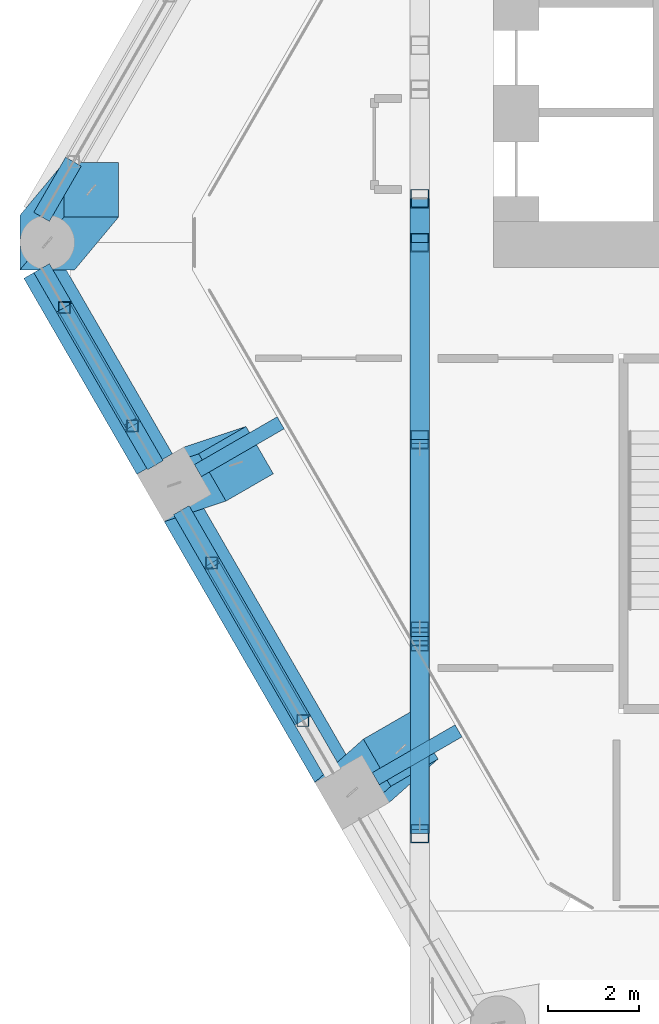
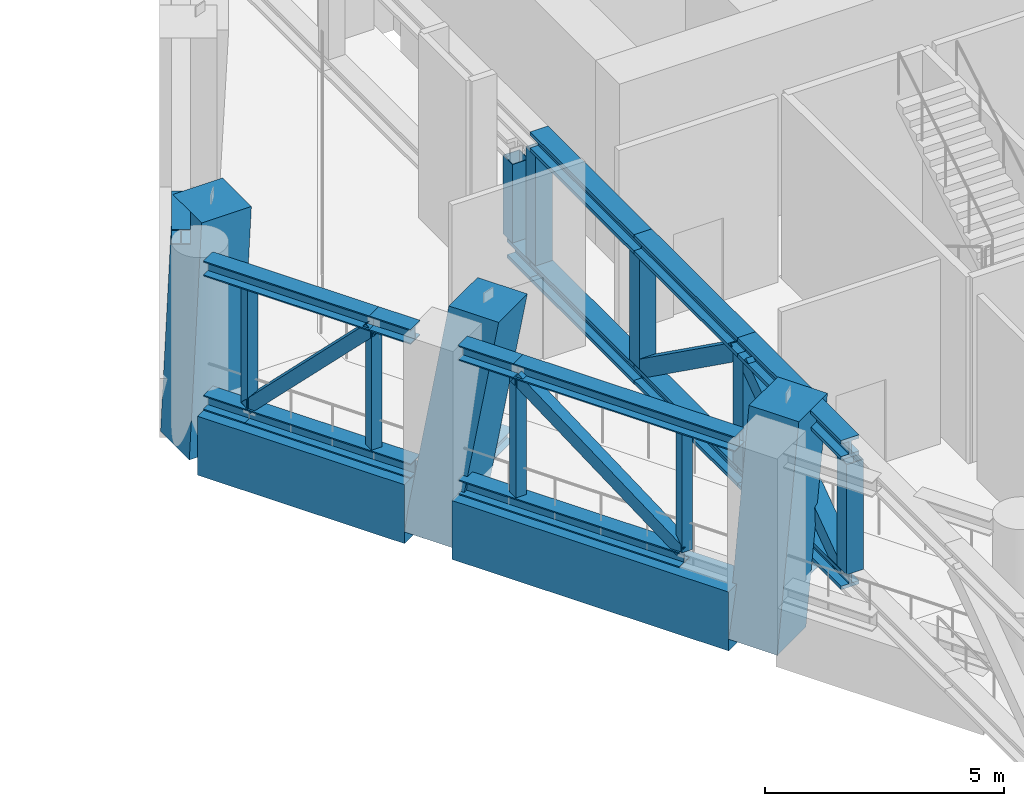
# One storey, part 3 of 22: 31 members, 4 beams.
"""IFC4 building model written with IfcOpenShell, lengths in metres."""

from ifc_helpers import new_model, si_unit, direction, frame, origin, origin_2d, place, context, subcontext, project, spatial, rectangle, hollow_rectangle, i_section, extrude, material, material_profile, profile_set, type_object, element, save


model = new_model("IFC4")

# Units and contexts
model_context = context("Model", 3, precision=1e-05, world=origin(), true_north=direction((0.0, 1.0)))
body_context = subcontext(model_context, "Body", "Model", "MODEL_VIEW")
ifc_project = project(units=[si_unit("LENGTHUNIT", "METRE"), si_unit("AREAUNIT", "SQUARE_METRE"), si_unit("VOLUMEUNIT", "CUBIC_METRE"), si_unit("PLANEANGLEUNIT", "RADIAN"), si_unit("MASSUNIT", "GRAM", prefix="KILO")], contexts=[model_context])

# Site, building, storey
site_placement = place(None, origin())
site = spatial("IfcSite", under=ifc_project, at=site_placement, CompositionType="ELEMENT")
building_placement = place(site_placement, origin())
building = spatial("IfcBuilding", under=site, at=building_placement, Name="Ostrander Bayou Hotel Tower", CompositionType="ELEMENT")
storey_placement = place(building_placement, frame((0.0, 0.0, 146.0)))
storey = spatial("IfcBuildingStorey", under=building, at=storey_placement, Name="L36", CompositionType="ELEMENT", Elevation=146.0)

# Members
ifc_material_1 = material(Name="Steel ASTM A992", Category="steel")
ifc_material_profile_1 = material_profile(ifc_material_1, i_section(OverallWidth=0.3955078125, OverallDepth=0.38037109375, WebThickness=0.01904296875, FlangeThickness=0.0302734375, at=origin_2d()))
ifc_profile_set_1 = profile_set([ifc_material_profile_1], Name="Steel ASTM A992")
member_type_1 = type_object("IfcMemberType", Name="BT3 belt truss chord W14x159", PredefinedType="CHORD", material=ifc_profile_set_1)
member_1_placement = place(storey_placement, frame((-21.227783203125, 0.61962890625, 3.60986328125), z_axis=(-0.499908613451, -0.866078159404, 0.0), x_axis=(0.866078159404, -0.499908613451, 0.0)))
element("IfcMember", 1, at=member_1_placement, inside=storey, type_object=member_type_1, Name="BT3 L36 NW-3T2", PredefinedType="CHORD", context=body_context, shape_type="SweptSolid", body=[
    extrude(i_section(OverallWidth=0.3955078125, OverallDepth=0.38037109375, WebThickness=0.01904296875, FlangeThickness=0.0302734375, at=origin_2d()), origin(), (0.0, 0.0, 1.0), 1.400146484375),
])
member_2_placement = place(storey_placement, frame((-21.927734375, -1.72021484375, 0.190185546875), z_axis=(0.500053735098, -0.865994377588, 0.0), x_axis=(0.865994377588, 0.500053735098, 0.0)))
element("IfcMember", 2, at=member_2_placement, inside=storey, type_object=member_type_1, Name="BT3 L36 SW-1B1", PredefinedType="CHORD", context=body_context, shape_type="SweptSolid", body=[
    extrude(i_section(OverallWidth=0.3955078125, OverallDepth=0.38037109375, WebThickness=0.01904296875, FlangeThickness=0.0302734375, at=origin_2d()), origin(), (0.0, 0.0, 1.0), 0.99951171875),
])
member_3_placement = place(storey_placement, frame((-21.427978515625, -2.585693359375, 0.190185546875), z_axis=(0.500000846469, -0.866024915075, 0.0), x_axis=(0.866024915075, 0.500000846469, 0.0)))
element("IfcMember", 3, at=member_3_placement, inside=storey, type_object=member_type_1, Name="BT3 L36 SW-1B2", PredefinedType="CHORD", context=body_context, shape_type="SweptSolid", body=[
    extrude(i_section(OverallWidth=0.3955078125, OverallDepth=0.38037109375, WebThickness=0.01904296875, FlangeThickness=0.0302734375, at=origin_2d()), origin(), (0.0, 0.0, 1.0), 3.998046875),
])
member_4_placement = place(storey_placement, frame((-21.927734375, -1.72021484375, 3.60986328125), z_axis=(0.500027289618, -0.866009647543, 0.0), x_axis=(0.866009647543, 0.500027289618, 0.0)))
element("IfcMember", 4, at=member_4_placement, inside=storey, type_object=member_type_1, Name="BT3 L36 SW-1T1", PredefinedType="CHORD", context=body_context, shape_type="SweptSolid", body=[
    extrude(i_section(OverallWidth=0.3955078125, OverallDepth=0.38037109375, WebThickness=0.01904296875, FlangeThickness=0.0302734375, at=origin_2d()), origin(), (0.0, 0.0, 1.0), 3.997802734375),
])
member_5_placement = place(storey_placement, frame((-19.9287109375, -5.182373046875, 3.60986328125), z_axis=(0.499947967163, -0.866055442873, 0.0), x_axis=(0.866055442873, 0.499947967163, 0.0)))
element("IfcMember", 5, at=member_5_placement, inside=storey, type_object=member_type_1, Name="BT3 L36 SW-1T2", PredefinedType="CHORD", context=body_context, shape_type="SweptSolid", body=[
    extrude(i_section(OverallWidth=0.3955078125, OverallDepth=0.38037109375, WebThickness=0.01904296875, FlangeThickness=0.0302734375, at=origin_2d()), origin(), (0.0, 0.0, 1.0), 0.99951171875),
])
member_6_placement = place(storey_placement, frame((-18.85888671875, -7.035400390625, 0.190185546875), z_axis=(0.499990325971, -0.866030989016, 0.0), x_axis=(0.866030989016, 0.499990325971, 0.0)))
element("IfcMember", 6, at=member_6_placement, inside=storey, type_object=member_type_1, Name="BT3 L36 SW-2B1", PredefinedType="CHORD", context=body_context, shape_type="SweptSolid", body=[
    extrude(i_section(OverallWidth=0.3955078125, OverallDepth=0.38037109375, WebThickness=0.01904296875, FlangeThickness=0.0302734375, at=origin_2d()), origin(), (0.0, 0.0, 1.0), 5.33837890625),
])
member_7_placement = place(storey_placement, frame((-18.85888671875, -7.035400390625, 3.60986328125), z_axis=(0.499975827765, -0.866039359181, 0.0), x_axis=(0.866039359181, 0.499975827765, 0.0)))
element("IfcMember", 7, at=member_7_placement, inside=storey, type_object=member_type_1, Name="BT3 L36 SW-2T1", PredefinedType="CHORD", context=body_context, shape_type="SweptSolid", body=[
    extrude(i_section(OverallWidth=0.3955078125, OverallDepth=0.38037109375, WebThickness=0.01904296875, FlangeThickness=0.0302734375, at=origin_2d()), origin(), (0.0, 0.0, 1.0), 1.33447265625),
])
member_8_placement = place(storey_placement, frame((-18.191650390625, -8.191162109375, 3.60986328125), z_axis=(0.500004822225, -0.866022619654, 0.0), x_axis=(0.866022619654, 0.500004822225, 0.0)))
element("IfcMember", 8, at=member_8_placement, inside=storey, type_object=member_type_1, Name="BT3 L36 SW-2T2", PredefinedType="CHORD", context=body_context, shape_type="SweptSolid", body=[
    extrude(i_section(OverallWidth=0.3955078125, OverallDepth=0.38037109375, WebThickness=0.01904296875, FlangeThickness=0.0302734375, at=origin_2d()), origin(), (0.0, 0.0, 1.0), 5.3388671875),
])
ifc_material_2 = material(Name="Steel ASTM A500 Gr C", Category="steel")
ifc_material_profile_2 = material_profile(ifc_material_2, hollow_rectangle(XDim=0.3046875, YDim=0.3046875, WallThickness=0.01171875, at=origin_2d()))
ifc_profile_set_2 = profile_set([ifc_material_profile_2], Name="Steel ASTM A500 Gr C")
member_type_2 = type_object("IfcMemberType", Name="BT4 belt truss diagonal HSS12x12x1/2", PredefinedType="BRACE", material=ifc_profile_set_2)
member_9_placement = place(storey_placement, frame((-21.427978515625, -2.585693359375, 0.380615234375), z_axis=(0.351192950479, -0.608254066324, 0.711821959716), x_axis=(0.866014736989, 0.500018474976, 0.0)))
element("IfcMember", 9, at=member_9_placement, inside=storey, type_object=member_type_2, Name="BT4 L36 SW-1D", PredefinedType="BRACE", context=body_context, shape_type="SweptSolid", body=[
    extrude(hollow_rectangle(XDim=0.3046875, YDim=0.3046875, WallThickness=0.01171875, at=origin_2d()), origin(), (0.0, 0.0, 1.0), 4.26904296875),
])
member_10_placement = place(storey_placement, frame((-16.189697265625, -11.65869140625, 0.380615234375), z_axis=(-0.398277452631, 0.689845690209, 0.604556030841), x_axis=(-0.866028199139, -0.499995158272, 0.0)))
element("IfcMember", 10, at=member_10_placement, inside=storey, type_object=member_type_2, Name="BT4 L36 SW-2D", PredefinedType="BRACE", context=body_context, shape_type="SweptSolid", body=[
    extrude(hollow_rectangle(XDim=0.3046875, YDim=0.3046875, WallThickness=0.01171875, at=origin_2d()), origin(), (0.0, 0.0, 1.0), 5.026611328125),
])
ifc_material_3 = material(Name="Steel ASTM A500 Gr C", Category="steel")
ifc_material_profile_3 = material_profile(ifc_material_3, hollow_rectangle(XDim=0.25390625, YDim=0.25390625, WallThickness=0.0087890625, at=origin_2d()))
ifc_profile_set_3 = profile_set([ifc_material_profile_3], Name="Steel ASTM A500 Gr C")
member_type_3 = type_object("IfcMemberType", Name="BT8 belt truss vertical HSS10x10x3/8", PredefinedType="POST", material=ifc_profile_set_3)
for number, where, z_axis, x_axis, name in (
    (11, (-21.427978515625, -2.585693359375, 0.380615234375), (0.0, 0.0, 1.0), (1.0, 0.0, 0.0), "BT8 L36 SW-1V1"),
    (12, (-19.9287109375, -5.182373046875, 0.380615234375), (0.0, 0.0, 1.0), (1.0, 0.0, 0.0), "BT8 L36 SW-1V2"),
    (13, (-18.191650390625, -8.191162109375, 0.380615234375), (0.0, 0.0, 1.0), (1.0, 0.0, 0.0), "BT8 L36 SW-2V1"),
    (14, (-16.189697265625, -11.65869140625, 0.380615234375), (0.0, 0.0, 1.0), (1.0, 0.0, 0.0), "BT8 L36 SW-2V2"),
):
    element("IfcMember", number, at=place(storey_placement, frame(where, z_axis=z_axis, x_axis=x_axis)), inside=storey, type_object=member_type_3, Name=name, PredefinedType="POST", context=body_context, shape_type="SweptSolid", body=[
        extrude(hollow_rectangle(XDim=0.25390625, YDim=0.25390625, WallThickness=0.0087890625, at=origin_2d()), origin(), (0.0, 0.0, 1.0), 3.038818359375),
    ])
ifc_material_4 = material(Name="Concrete f'c 70 MPa", Category="concrete")
ifc_material_profile_4 = material_profile(ifc_material_4, rectangle(XDim=1.199951171875, YDim=1.199951171875, at=origin_2d()))
ifc_profile_set_4 = profile_set([ifc_material_profile_4], Name="Concrete f'c 70 MPa")
member_type_4 = type_object("IfcMemberType", Name="KC2 kinked column 1200 x 1200 mm f'c 70 MPa", PredefinedType="STRUT", material=ifc_profile_set_4)
member_11_placement = place(storey_placement, frame((-21.801513671875, -1.156494140625, -1.199951171875), z_axis=(0.0, 0.0, 1.0), x_axis=(1.0, 0.0, 0.0)))
element("IfcMember", 15, at=member_11_placement, inside=storey, type_object=member_type_4, Name="KC2 L36 K1", PredefinedType="STRUT", context=body_context, shape_type="SweptSolid", body=[
    extrude(rectangle(XDim=1.199951171875, YDim=1.199951171875, at=origin_2d()), origin(), (0.184677847477, 0.221473155316, 0.957519573756), 5.221923828125),
])
member_12_placement = place(storey_placement, frame((-19.01416015625, -6.466796875, -1.199951171875), z_axis=(0.0, 0.0, 1.0), x_axis=(-0.5, 0.866025403784, 0.0)))
element("IfcMember", 16, at=member_12_placement, inside=storey, type_object=member_type_4, Name="KC2 L36 SW1", PredefinedType="STRUT", context=body_context, shape_type="SweptSolid", body=[
    extrude(rectangle(XDim=1.199951171875, YDim=1.199951171875, at=origin_2d()), origin(), (-0.055493302384, -0.269256634144, 0.961468334559), 5.200439453125),
])
member_13_placement = place(storey_placement, frame((-15.107421875, -13.2333984375, -1.199951171875), z_axis=(0.0, 0.0, 1.0), x_axis=(-0.5, 0.866025403784, 0.0)))
element("IfcMember", 17, at=member_13_placement, inside=storey, type_object=member_type_4, Name="KC2 L36 SW2", PredefinedType="STRUT", context=body_context, shape_type="SweptSolid", body=[
    extrude(rectangle(XDim=1.199951171875, YDim=1.199951171875, at=origin_2d()), origin(), (0.055541477356, -0.269233794776, 0.961471948651), 5.200439453125),
])

# Beams
ifc_material_5 = material(Name="Steel ASTM A992", Category="steel")
ifc_material_profile_5 = material_profile(ifc_material_5, i_section(OverallWidth=0.3046875, OverallDepth=0.307861328125, WebThickness=0.010009765625, FlangeThickness=0.015380859375, at=origin_2d()))
ifc_profile_set_5 = profile_set([ifc_material_profile_5], Name="Steel ASTM A992")
beam_type_1 = type_object("IfcBeamType", Name="LB1 loggia bracket W12x65", PredefinedType="BEAM", material=ifc_profile_set_5)
for number, where, z_axis, x_axis, name in (
    (18, (-18.494384765625, -6.166748046875, -0.453857421875), (0.866009402589, 0.500027713859, 0.0), (-0.500027713859, 0.866009402589, 0.0), "LB1 L36 SW1"),
    (19, (-14.587646484375, -12.933349609375, -0.453857421875), (0.866009402589, 0.500027713859, 0.0), (-0.500027713859, 0.866009402589, 0.0), "LB1 L36 SW2"),
):
    element("IfcBeam", number, at=place(storey_placement, frame(where, z_axis=z_axis, x_axis=x_axis)), inside=storey, type_object=beam_type_1, Name=name, PredefinedType="BEAM", context=body_context, shape_type="SweptSolid", body=[
        extrude(i_section(OverallWidth=0.3046875, OverallDepth=0.307861328125, WebThickness=0.010009765625, FlangeThickness=0.015380859375, at=origin_2d()), origin(), (0.0, 0.0, 1.0), 2.10009765625),
    ])
ifc_material_6 = material(Name="Concrete f'c 70 MPa", Category="concrete")
ifc_material_profile_6 = material_profile(ifc_material_6, rectangle(XDim=0.89990234375, YDim=1.5, at=origin_2d()))
ifc_profile_set_6 = profile_set([ifc_material_profile_6], Name="Concrete f'c 70 MPa")
beam_type_2 = type_object("IfcBeamType", Name="SPB2 belt spandrel beam 900 x 1500 mm f'c 70 MPa", PredefinedType="SPANDREL", material=ifc_profile_set_6)
beam_1_placement = place(storey_placement, frame((-21.927734375, -1.72021484375, -0.75), z_axis=(0.500011423449, -0.866018808352, 0.0), x_axis=(0.866018808352, 0.500011423449, 0.0)))
element("IfcBeam", 20, at=beam_1_placement, inside=storey, type_object=beam_type_2, Name="SP2 L36 SW-1", PredefinedType="SPANDREL", context=body_context, shape_type="SweptSolid", body=[
    extrude(rectangle(XDim=0.89990234375, YDim=1.5, at=origin_2d()), origin(), (0.0, 0.0, 1.0), 4.99755859375),
])
beam_2_placement = place(storey_placement, frame((-18.85888671875, -7.035400390625, -0.75), z_axis=(0.499999023957, -0.866025967302, 0.0), x_axis=(0.866025967302, 0.499999023957, 0.0)))
element("IfcBeam", 21, at=beam_2_placement, inside=storey, type_object=beam_type_2, Name="SP2 L36 SW-2", PredefinedType="SPANDREL", context=body_context, shape_type="SweptSolid", body=[
    extrude(rectangle(XDim=0.89990234375, YDim=1.5, at=origin_2d()), origin(), (0.0, 0.0, 1.0), 6.67333984375),
])

# Members
ifc_material_7 = material(Name="Steel ASTM A992", Category="steel")
ifc_material_profile_7 = material_profile(ifc_material_7, i_section(OverallWidth=0.43212890625, OverallDepth=0.497802734375, WebThickness=0.0556640625, FlangeThickness=0.0888671875, at=origin_2d()))
ifc_profile_set_7 = profile_set([ifc_material_profile_7], Name="Steel ASTM A992")
member_type_5 = type_object("IfcMemberType", Name="TT1 through-truss chord W14x500", PredefinedType="CHORD", material=ifc_profile_set_7)
member_14_placement = place(storey_placement, frame((-13.6201171875, -0.192626953125, 0.248779296875), z_axis=(0.0, -1.0, 0.0), x_axis=(1.0, 0.0, 0.0)))
element("IfcMember", 22, at=member_14_placement, inside=storey, type_object=member_type_5, Name="TT1 SB3A B7", PredefinedType="CHORD", context=body_context, shape_type="SweptSolid", body=[
    extrude(i_section(OverallWidth=0.43212890625, OverallDepth=0.497802734375, WebThickness=0.0556640625, FlangeThickness=0.0888671875, at=origin_2d()), origin(), (0.0, 0.0, 1.0), 0.9638671875),
])
for number, where, z_axis, x_axis, name in (
    (23, (-13.6201171875, -1.156494140625, 0.248779296875), (0.0, -1.0, 0.0), (1.0, 0.0, 0.0), "TT1 SB3A B8"),
    (24, (-13.6201171875, -1.156494140625, 3.551025390625), (0.0, -1.0, 0.0), (1.0, 0.0, 0.0), "TT1 SB3A T8"),
    (25, (-13.6201171875, -5.484130859375, 0.248779296875), (0.0, -1.0, 0.0), (1.0, 0.0, 0.0), "TT1 SB3A B9"),
    (26, (-13.6201171875, -5.484130859375, 3.551025390625), (0.0, -1.0, 0.0), (1.0, 0.0, 0.0), "TT1 SB3A T9"),
    (27, (-13.6201171875, -9.811767578125, 0.248779296875), (0.0, -1.0, 0.0), (1.0, 0.0, 0.0), "TT1 SB3A B10"),
    (28, (-13.6201171875, -9.811767578125, 3.551025390625), (0.0, -1.0, 0.0), (1.0, 0.0, 0.0), "TT1 SB3A T10"),
):
    element("IfcMember", number, at=place(storey_placement, frame(where, z_axis=z_axis, x_axis=x_axis)), inside=storey, type_object=member_type_5, Name=name, PredefinedType="CHORD", context=body_context, shape_type="SweptSolid", body=[
        extrude(i_section(OverallWidth=0.43212890625, OverallDepth=0.497802734375, WebThickness=0.0556640625, FlangeThickness=0.0888671875, at=origin_2d()), origin(), (0.0, 0.0, 1.0), 4.32763671875),
    ])
ifc_material_8 = material(Name="Steel ASTM A572 Gr 50", Category="steel")
ifc_material_profile_8 = material_profile(ifc_material_8, hollow_rectangle(XDim=0.406494140625, YDim=0.406494140625, WallThickness=0.017822265625, at=origin_2d()))
ifc_profile_set_8 = profile_set([ifc_material_profile_8], Name="Steel ASTM A572 Gr 50")
member_type_6 = type_object("IfcMemberType", Name="TT3 through-truss diagonal box 16 x 16 x 3/4", PredefinedType="BRACE", material=ifc_profile_set_8)
for number, where, z_axis, x_axis, name in (
    (29, (-13.6201171875, -5.687255859375, 0.497802734375), (0.0, -0.813394586263, 0.581712340456), (1.0, 0.0, 0.0), "TT3 SB3A D9"),
    (30, (-13.6201171875, -13.936279296875, 0.497802734375), (0.0, 0.813394586263, 0.581712340456), (-1.0, 0.0, 0.0), "TT3 SB3A D10"),
):
    element("IfcMember", number, at=place(storey_placement, frame(where, z_axis=z_axis, x_axis=x_axis)), inside=storey, type_object=member_type_6, Name=name, PredefinedType="BRACE", context=body_context, shape_type="SweptSolid", body=[
        extrude(hollow_rectangle(XDim=0.406494140625, YDim=0.406494140625, WallThickness=0.017822265625, at=origin_2d()), origin(), (0.0, 0.0, 1.0), 4.821044921875),
    ])
ifc_material_9 = material(Name="Steel ASTM A572 Gr 50", Category="steel")
ifc_material_profile_9 = material_profile(ifc_material_9, hollow_rectangle(XDim=0.406494140625, YDim=0.406494140625, WallThickness=0.017822265625, at=origin_2d()))
ifc_profile_set_9 = profile_set([ifc_material_profile_9], Name="Steel ASTM A572 Gr 50")
member_type_7 = type_object("IfcMemberType", Name="TT4 through-truss post box 16 x 16 x 3/4", PredefinedType="POST", material=ifc_profile_set_9)
for number, where, z_axis, x_axis, name in (
    (31, (-13.6201171875, -1.156494140625, 0.497802734375), (0.0, 0.0, 1.0), (1.0, 0.0, 0.0), "TT4 SB3A P8"),
    (32, (-13.6201171875, -5.484130859375, 0.497802734375), (0.0, 0.0, 1.0), (1.0, 0.0, 0.0), "TT4 SB3A P9"),
    (33, (-13.6201171875, -9.811767578125, 0.497802734375), (0.0, 0.0, 1.0), (1.0, 0.0, 0.0), "TT4 SB3A P10"),
    (34, (-13.6201171875, -14.139404296875, 0.497802734375), (0.0, 0.0, 1.0), (1.0, 0.0, 0.0), "TT4 SB3A P11"),
):
    element("IfcMember", number, at=place(storey_placement, frame(where, z_axis=z_axis, x_axis=x_axis)), inside=storey, type_object=member_type_7, Name=name, PredefinedType="POST", context=body_context, shape_type="SweptSolid", body=[
        extrude(hollow_rectangle(XDim=0.406494140625, YDim=0.406494140625, WallThickness=0.017822265625, at=origin_2d()), origin(), (0.0, 0.0, 1.0), 2.804443359375),
    ])
member_15_placement = place(storey_placement, frame((-13.6201171875, -0.192626953125, 0.497802734375), z_axis=(0.0, 0.0, 1.0), x_axis=(1.0, 0.0, 0.0)))
element("IfcMember", 35, at=member_15_placement, inside=storey, type_object=member_type_7, Name="TT4 SB3A KN7b", PredefinedType="POST", context=body_context, shape_type="SweptSolid", body=[
    extrude(hollow_rectangle(XDim=0.406494140625, YDim=0.406494140625, WallThickness=0.017822265625, at=origin_2d()), origin(), (0.0, 0.0, 1.0), 2.002197265625),
])

save(model, "model.ifc")
